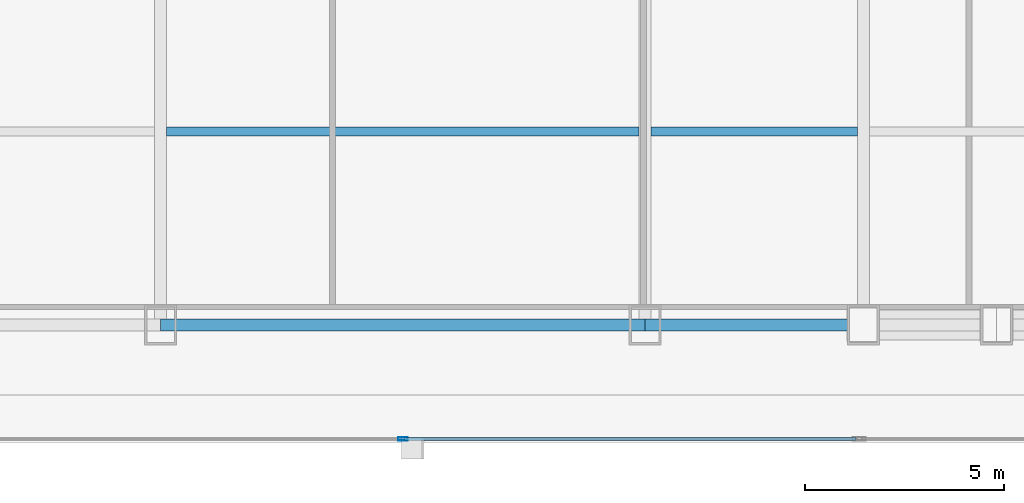
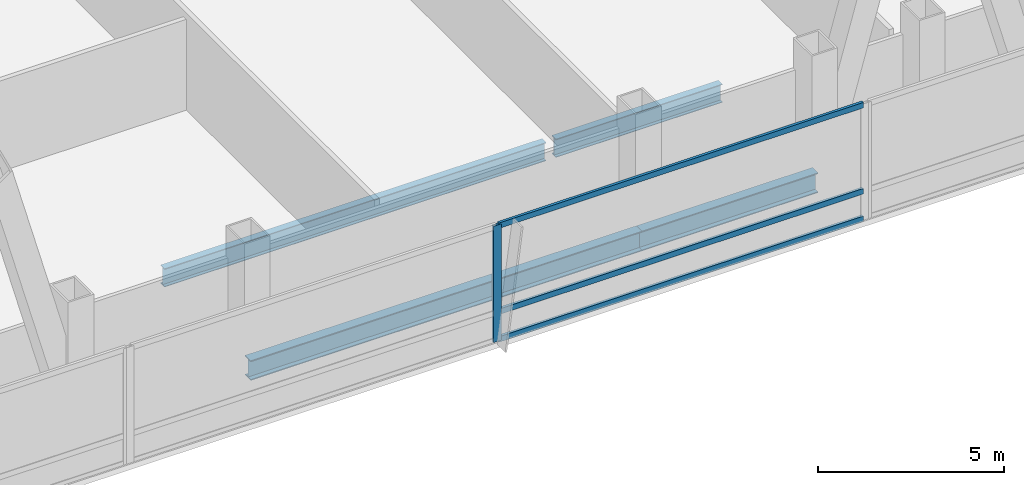
# One storey, part 12 of 37: 4 beams, 4 members, 1 element without a shape of its own.
"""IFC4 building model written with IfcOpenShell, lengths in metres."""

from ifc_helpers import new_model, si_unit, direction, frame, origin, origin_2d, place, context, subcontext, project, spatial, hollow_rectangle, i_section, extrude, material, material_profile, profile_set, type_object, element, aggregate, save


model = new_model("IFC4")

# Units and contexts
model_context = context("Model", 3, precision=1e-05, world=origin(), true_north=direction((0.0, 1.0)))
body_context = subcontext(model_context, "Body", "Model", "MODEL_VIEW")
ifc_project = project(units=[si_unit("LENGTHUNIT", "METRE"), si_unit("AREAUNIT", "SQUARE_METRE"), si_unit("VOLUMEUNIT", "CUBIC_METRE"), si_unit("PLANEANGLEUNIT", "RADIAN"), si_unit("MASSUNIT", "GRAM", prefix="KILO")], contexts=[model_context])

# Site, building, storey
site_placement = place(None, origin())
site = spatial("IfcSite", under=ifc_project, at=site_placement, CompositionType="ELEMENT")
building_placement = place(site_placement, origin())
building = spatial("IfcBuilding", under=site, at=building_placement, Name="Khoronbel Lancet Exchange", CompositionType="ELEMENT")
storey_placement = place(building_placement, frame((0.0, 0.0, 61.800048828125)))
storey = spatial("IfcBuildingStorey", under=building, at=storey_placement, Name="L14", CompositionType="ELEMENT", Elevation=61.800048828125)

# Beams
ifc_material_1 = material(Name="Steel S355", Category="steel")
ifc_material_profile_1 = material_profile(ifc_material_1, i_section(OverallWidth=0.219970703125, OverallDepth=0.60009765625, WebThickness=0.011962890625, FlangeThickness=0.01904296875, at=origin_2d()), Name="IPE 600")
ifc_profile_set_1 = profile_set([ifc_material_profile_1], Name="Steel S355")
beam_type_1 = type_object("IfcBeamType", Name="BM-BJ1", PredefinedType="JOIST", material=ifc_profile_set_1)
beam_1_placement = place(storey_placement, frame((30.52490234375, 15.0, -0.47998046875), z_axis=(1.0, 0.0, 0.0), x_axis=(0.0, 1.0, 0.0)))
element("IfcBeam", 1, at=beam_1_placement, inside=storey, type_object=beam_type_1, Name="Level L14 secondary composite joist J03", PredefinedType="JOIST", context=body_context, shape_type="SweptSolid", body=[
    extrude(i_section(OverallWidth=0.219970703125, OverallDepth=0.60009765625, WebThickness=0.011962890625, FlangeThickness=0.01904296875, at=origin_2d()), origin(), (0.0, 0.0, 1.0), 11.85009765625),
])
beam_2_placement = place(storey_placement, frame((42.675048828125, 15.0, -0.47998046875), z_axis=(1.0, 0.0, 0.0), x_axis=(0.0, 1.0, 0.0)))
element("IfcBeam", 2, at=beam_2_placement, inside=storey, type_object=beam_type_1, Name="Level L14 secondary composite joist J04", PredefinedType="JOIST", context=body_context, shape_type="SweptSolid", body=[
    extrude(i_section(OverallWidth=0.219970703125, OverallDepth=0.60009765625, WebThickness=0.011962890625, FlangeThickness=0.01904296875, at=origin_2d()), origin(), (0.0, 0.0, 1.0), 5.175048828125),
])
ifc_material_profile_2 = material_profile(ifc_material_1, i_section(OverallWidth=0.300048828125, OverallDepth=0.64990234375, WebThickness=0.01611328125, FlangeThickness=0.031005859375, at=origin_2d()), Name="HEB 650")
ifc_profile_set_2 = profile_set([ifc_material_profile_2], Name="Steel S355")
beam_type_2 = type_object("IfcBeamType", Name="BM-BSP1", PredefinedType="SPANDREL", material=ifc_profile_set_2)
beam_3_placement = place(storey_placement, frame((30.375, 10.14990234375, -0.505126953125), z_axis=(1.0, 0.0, 0.0), x_axis=(0.0, 1.0, 0.0)))
element("IfcBeam", 3, at=beam_3_placement, inside=storey, type_object=beam_type_2, Name="Level L14 perimeter spandrel beam SP05", PredefinedType="SPANDREL", context=body_context, shape_type="SweptSolid", body=[
    extrude(i_section(OverallWidth=0.300048828125, OverallDepth=0.64990234375, WebThickness=0.01611328125, FlangeThickness=0.031005859375, at=origin_2d()), origin(), (0.0, 0.0, 1.0), 12.14990234375),
])
beam_4_placement = place(storey_placement, frame((42.52490234375, 10.14990234375, -0.505126953125), z_axis=(1.0, 0.0, 0.0), x_axis=(0.0, 1.0, 0.0)))
element("IfcBeam", 4, at=beam_4_placement, inside=storey, type_object=beam_type_2, Name="Level L14 perimeter spandrel beam SP06", PredefinedType="SPANDREL", context=body_context, shape_type="SweptSolid", body=[
    extrude(i_section(OverallWidth=0.300048828125, OverallDepth=0.64990234375, WebThickness=0.01611328125, FlangeThickness=0.031005859375, at=origin_2d()), origin(), (0.0, 0.0, 1.0), 5.47509765625),
])

# Curtain wall, members
ifc_material_2 = material(Name="Low-E Solar Control Insulating Glass", Category="glass")
curtain_wall_type = type_object("IfcCurtainWallType", Name="CW-1", PredefinedType="NOTDEFINED", material=ifc_material_2)
curtain_wall_placement = place(storey_placement, origin())
curtain_wall = element("IfcCurtainWall", 5, at=curtain_wall_placement, inside=storey, type_object=curtain_wall_type, Name="Unitised curtain wall CW-L14-SCV", PredefinedType="NOTDEFINED")
ifc_material_3 = material(Name="Bronze-Anodised Aluminium 6063-T6", Category="aluminium")
ifc_material_profile_3 = material_profile(ifc_material_3, hollow_rectangle(XDim=0.0849609375, YDim=0.239990234375, WallThickness=0.006103515625, at=origin_2d()), Name="ALU MULLION 85x240")
ifc_profile_set_3 = profile_set([ifc_material_profile_3], Name="Bronze-Anodised Aluminium 6063-T6")
member_type_1 = type_object("IfcMemberType", Name="MEM-CWM1", PredefinedType="MULLION", material=ifc_profile_set_3)
member_1_placement = place(storey_placement, frame((36.449951171875, 7.2900390625, 0.0), z_axis=(0.0, 0.0, 1.0), x_axis=(0.0, 1.0, 0.0)))
member_1 = element("IfcMember", 6, at=member_1_placement, type_object=member_type_1, Name="CW1 mullion 2", PredefinedType="MULLION", context=body_context, shape_type="SweptSolid", body=[
    extrude(hollow_rectangle(XDim=0.0849609375, YDim=0.239990234375, WallThickness=0.006103515625, at=origin_2d()), origin(), (0.0, 0.0, 1.0), 3.820068359375),
])
ifc_material_profile_4 = material_profile(ifc_material_3, hollow_rectangle(XDim=0.0849609375, YDim=0.179931640625, WallThickness=0.0048828125, at=origin_2d()), Name="ALU TRANSOM 85x180")
ifc_profile_set_4 = profile_set([ifc_material_profile_4], Name="Bronze-Anodised Aluminium 6063-T6")
member_type_2 = type_object("IfcMemberType", Name="MEM-CWT1", PredefinedType="USERDEFINED", material=ifc_profile_set_4)
member_2_placement = place(storey_placement, frame((36.492431640625, 7.2900390625, 0.04248046875), z_axis=(1.0, 0.0, 0.0), x_axis=(0.0, 1.0, 0.0)))
member_2 = element("IfcMember", 7, at=member_2_placement, type_object=member_type_2, Name="CW1 transom 2.1", ObjectType="TRANSOM", PredefinedType="USERDEFINED", context=body_context, shape_type="SweptSolid", body=[
    extrude(hollow_rectangle(XDim=0.0849609375, YDim=0.179931640625, WallThickness=0.0048828125, at=origin_2d()), origin(), (0.0, 0.0, 1.0), 11.322509765625),
])
member_3_placement = place(storey_placement, frame((36.492431640625, 7.2900390625, 0.949951171875), z_axis=(1.0, 0.0, 0.0), x_axis=(0.0, 1.0, 0.0)))
member_3 = element("IfcMember", 8, at=member_3_placement, type_object=member_type_2, Name="CW1 transom 2.2", ObjectType="TRANSOM", PredefinedType="USERDEFINED", context=body_context, shape_type="SweptSolid", body=[
    extrude(hollow_rectangle(XDim=0.0849609375, YDim=0.179931640625, WallThickness=0.0048828125, at=origin_2d()), origin(), (0.0, 0.0, 1.0), 11.322509765625),
])
member_4_placement = place(storey_placement, frame((36.492431640625, 7.2900390625, 3.77734375), z_axis=(1.0, 0.0, 0.0), x_axis=(0.0, 1.0, 0.0)))
member_4 = element("IfcMember", 9, at=member_4_placement, type_object=member_type_2, Name="CW1 transom 2.3", ObjectType="TRANSOM", PredefinedType="USERDEFINED", context=body_context, shape_type="SweptSolid", body=[
    extrude(hollow_rectangle(XDim=0.0849609375, YDim=0.179931640625, WallThickness=0.0048828125, at=origin_2d()), origin(), (0.0, 0.0, 1.0), 11.322509765625),
])
aggregate(curtain_wall, [member_1, member_2, member_3, member_4])

save(model, "model.ifc")
